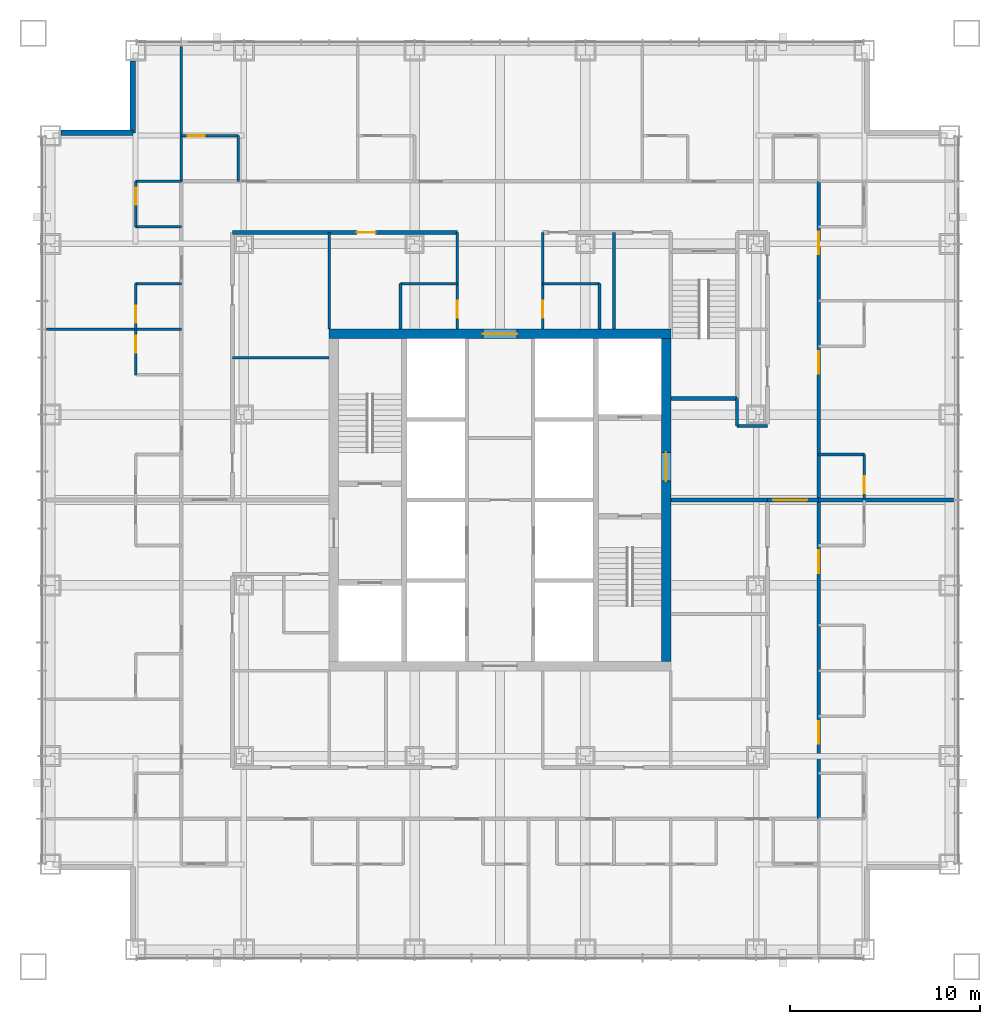
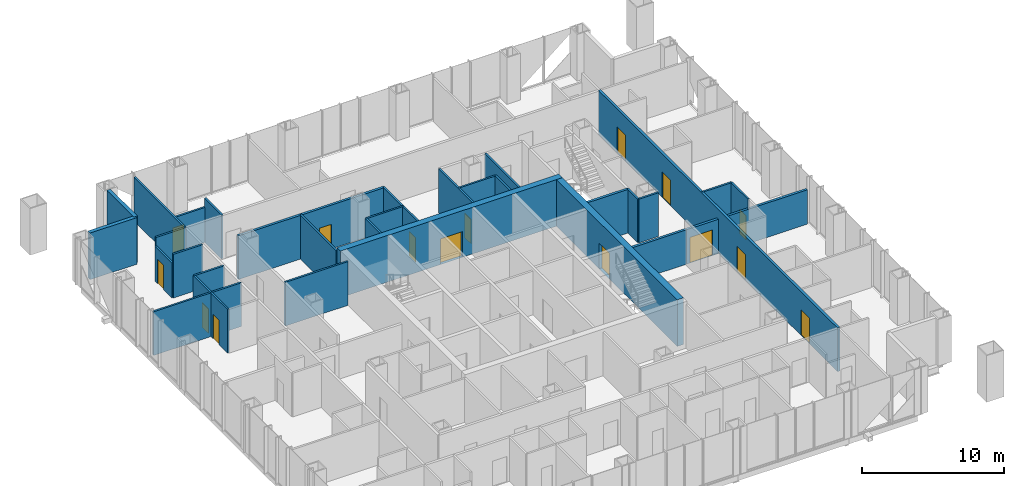
# One storey, part 11 of 18: 33 walls, 15 doors, 15 openings.
"""IFC4 building model written with IfcOpenShell, lengths in metres."""

from ifc_helpers import new_model, si_unit, direction, frame, frame_2d, origin, place, context, subcontext, project, spatial, rectangle, extrude, material, layer, layer_set, type_object, element, fill, save


model = new_model("IFC4")

# Units and contexts
model_context = context("Model", 3, precision=1e-05, world=origin(), true_north=direction((0.0, 1.0)))
body_context = subcontext(model_context, "Body", "Model", "MODEL_VIEW")
ifc_project = project(units=[si_unit("LENGTHUNIT", "METRE"), si_unit("AREAUNIT", "SQUARE_METRE"), si_unit("VOLUMEUNIT", "CUBIC_METRE"), si_unit("PLANEANGLEUNIT", "RADIAN"), si_unit("MASSUNIT", "GRAM", prefix="KILO")], contexts=[model_context])

# Site, building, storey
site_placement = place(None, origin())
site = spatial("IfcSite", under=ifc_project, at=site_placement, CompositionType="ELEMENT")
building_placement = place(site_placement, origin())
building = spatial("IfcBuilding", under=site, at=building_placement, Name="Malebo Sky Hospital", CompositionType="ELEMENT")
storey_placement = place(building_placement, frame((0.0, 0.0, 132.0)))
storey = spatial("IfcBuildingStorey", under=building, at=storey_placement, Name="L31", CompositionType="ELEMENT", Elevation=132.0)

# Wall, opening, door
ifc_material_1 = material(Name="Concrete C80/95", Category="concrete")
ifc_layer_1 = layer(ifc_material_1, 0.5)
ifc_layer_set_1 = layer_set([ifc_layer_1], Name="CORE WALL 500")
wall_type_1 = type_object("IfcWallType", Name="CORE WALL 500", PredefinedType="SHEAR", material=ifc_layer_set_1)
wall_1_placement = place(storey_placement, frame((51.0, 70.75, 0.0), z_axis=(0.0, 0.0, 1.0), x_axis=(1.0, 0.0, 0.0)))
wall_1 = element("IfcWall", 1, at=wall_1_placement, inside=storey, type_object=wall_type_1, Name="Core wall N L31", PredefinedType="SHEAR", context=body_context, shape_type="SweptSolid", body=[
    extrude(rectangle(XDim=18.0, YDim=0.5, at=frame_2d((9.0, 0.0))), origin(), (0.0, 0.0, 1.0), 4.0),
])
opening_1_placement = place(wall_1_placement, frame((8.10009765625, 0.0, 0.0)))
opening_1 = element("IfcOpeningElement", 2, at=opening_1_placement, cuts=wall_1, Name="Opening D06", PredefinedType="OPENING", context=body_context, shape_type="SweptSolid", body=[
    extrude(rectangle(XDim=1.800048828125, YDim=2.199951171875, at=frame_2d((0.89990234375, 1.10009765625))), frame((0.0, 0.260009765625, 0.0), z_axis=(0.0, -1.0, 0.0), x_axis=(1.0, 0.0, 0.0)), (0.0, 0.0, 1.0), 0.52001953125),
])
ifc_material_2 = material(Name="Hardwood-faced door leaf in steel frame", Category="steel")
door_type_1 = type_object("IfcDoorType", Name="LOBBY DOOR PAIR 1800", OperationType="DOUBLE_DOOR_SINGLE_SWING", PredefinedType="DOOR", material=ifc_material_2)
door_1_placement = place(opening_1_placement, origin())
door_1 = element("IfcDoor", 3, at=door_1_placement, inside=storey, type_object=door_type_1, Name="staff rest room door north", OperationType="DOUBLE_DOOR_SINGLE_SWING", OverallHeight=2.199951171875, OverallWidth=1.800048828125, PredefinedType="DOOR", context=body_context, shape_type="SweptSolid", body=[
    extrude(rectangle(XDim=1.800048828125, YDim=2.199951171875, at=frame_2d((0.89990234375, 1.10009765625))), frame((0.0, 0.02490234375, 0.0), z_axis=(0.0, -1.0, 0.0), x_axis=(1.0, 0.0, 0.0)), (0.0, 0.0, 1.0), 0.050048828125),
])
fill(opening_1, door_1)

wall_2_placement = place(storey_placement, frame((68.75, 53.5, 0.0), z_axis=(0.0, 0.0, 1.0), x_axis=(0.0, 1.0, 0.0)))
wall_2 = element("IfcWall", 4, at=wall_2_placement, inside=storey, type_object=wall_type_1, Name="Core wall E L31", PredefinedType="SHEAR", context=body_context, shape_type="SweptSolid", body=[
    extrude(rectangle(XDim=17.0, YDim=0.5, at=frame_2d((8.5, 0.0))), origin(), (0.0, 0.0, 1.0), 4.0),
])
opening_2_placement = place(wall_2_placement, frame((9.5, 0.0, 0.0)))
opening_2 = element("IfcOpeningElement", 5, at=opening_2_placement, cuts=wall_2, Name="Opening D07", PredefinedType="OPENING", context=body_context, shape_type="SweptSolid", body=[
    extrude(rectangle(XDim=1.5, YDim=2.199951171875, at=frame_2d((0.75, 1.10009765625))), frame((0.0, 0.260009765625, 0.0), z_axis=(0.0, -1.0, 0.0), x_axis=(1.0, 0.0, 0.0)), (0.0, 0.0, 1.0), 0.52001953125),
])
door_type_2 = type_object("IfcDoorType", Name="FIRE-FIGHTING LOBBY DOOR PAIR 1500", OperationType="DOUBLE_DOOR_SINGLE_SWING", PredefinedType="DOOR", material=ifc_material_2)
door_2_placement = place(opening_2_placement, origin())
door_2 = element("IfcDoor", 6, at=door_2_placement, inside=storey, type_object=door_type_2, Name="Fire-fighting lobby door east", OperationType="DOUBLE_DOOR_SINGLE_SWING", OverallHeight=2.199951171875, OverallWidth=1.5, PredefinedType="DOOR", context=body_context, shape_type="SweptSolid", body=[
    extrude(rectangle(XDim=1.5, YDim=2.199951171875, at=frame_2d((0.75, 1.10009765625))), frame((0.0, 0.02490234375, 0.0), z_axis=(0.0, -1.0, 0.0), x_axis=(1.0, 0.0, 0.0)), (0.0, 0.0, 1.0), 0.050048828125),
])
fill(opening_2, door_2)

ifc_material_3 = material(Name="Gypsum board on steel studs", Category="steel")
ifc_layer_2 = layer(ifc_material_3, 0.199951171875)
ifc_layer_set_2 = layer_set([ifc_layer_2], Name="CORRIDOR WALL 200")
wall_type_2 = type_object("IfcWallType", Name="CORRIDOR WALL 200", PredefinedType="PARTITIONING", material=ifc_layer_set_2)
wall_3_placement = place(storey_placement, frame((45.89990234375, 76.10009765625, 0.0), z_axis=(0.0, 0.0, 1.0), x_axis=(1.0, 0.0, 0.0)))
wall_3 = element("IfcWall", 7, at=wall_3_placement, inside=storey, type_object=wall_type_2, Name="Corridor Wall 200 NCI1", PredefinedType="PARTITIONING", context=body_context, shape_type="SweptSolid", body=[
    extrude(rectangle(XDim=11.85009765625, YDim=0.199951171875, at=frame_2d((5.925048828125, 0.0))), origin(), (0.0, 0.0, 1.0), 3.75),
])
opening_3_placement = place(wall_3_placement, frame((6.550048828125, 0.0, 0.0)))
opening_3 = element("IfcOpeningElement", 8, at=opening_3_placement, cuts=wall_3, Name="Opening D03", PredefinedType="OPENING", context=body_context, shape_type="SweptSolid", body=[
    extrude(rectangle(XDim=1.0, YDim=2.10009765625, at=frame_2d((0.5, 1.050048828125))), frame((0.0, 0.10986328125, 0.0), z_axis=(0.0, -1.0, 0.0), x_axis=(1.0, 0.0, 0.0)), (0.0, 0.0, 1.0), 0.219970703125),
])
door_type_3 = type_object("IfcDoorType", Name="ROOM DOOR 1000", OperationType="SINGLE_SWING_LEFT", PredefinedType="DOOR", material=ifc_material_2)
door_3_placement = place(opening_3_placement, origin())
door_3 = element("IfcDoor", 9, at=door_3_placement, inside=storey, type_object=door_type_3, Name="Dialysis store door", OperationType="SINGLE_SWING_LEFT", OverallHeight=2.10009765625, OverallWidth=1.0, PredefinedType="DOOR", context=body_context, shape_type="SweptSolid", body=[
    extrude(rectangle(XDim=1.0, YDim=2.10009765625, at=frame_2d((0.5, 1.050048828125))), frame((0.0, 0.02490234375, 0.0), z_axis=(0.0, -1.0, 0.0), x_axis=(1.0, 0.0, 0.0)), (0.0, 0.0, 1.0), 0.050048828125),
])
fill(opening_3, door_3)

# Wall, openings, doors
wall_4_placement = place(storey_placement, frame((76.800048828125, 78.800048828125, 0.0), z_axis=(0.0, 0.0, 1.0), x_axis=(0.0, -1.0, 0.0)))
wall_4 = element("IfcWall", 10, at=wall_4_placement, inside=storey, type_object=wall_type_2, Name="Corridor Wall 200 ECO", PredefinedType="PARTITIONING", context=body_context, shape_type="SweptSolid", body=[
    extrude(rectangle(XDim=33.60009765625, YDim=0.199951171875, at=frame_2d((16.800048828125, 0.0))), origin(), (0.0, 0.0, 1.0), 3.75),
])
opening_4_placement = place(wall_4_placement, frame((2.64990234375, 0.0, 0.0)))
opening_4 = element("IfcOpeningElement", 11, at=opening_4_placement, cuts=wall_4, Name="Opening D01", PredefinedType="OPENING", context=body_context, shape_type="SweptSolid", body=[
    extrude(rectangle(XDim=1.199951171875, YDim=2.199951171875, at=frame_2d((0.60009765625, 1.10009765625))), frame((0.0, 0.10986328125, 0.0), z_axis=(0.0, -1.0, 0.0), x_axis=(1.0, 0.0, 0.0)), (0.0, 0.0, 1.0), 0.219970703125),
])
opening_5_placement = place(wall_4_placement, frame((8.949951171875, 0.0, 0.0)))
opening_5 = element("IfcOpeningElement", 12, at=opening_5_placement, cuts=wall_4, Name="Opening D01", PredefinedType="OPENING", context=body_context, shape_type="SweptSolid", body=[
    extrude(rectangle(XDim=1.199951171875, YDim=2.199951171875, at=frame_2d((0.60009765625, 1.10009765625))), frame((0.0, 0.10986328125, 0.0), z_axis=(0.0, -1.0, 0.0), x_axis=(1.0, 0.0, 0.0)), (0.0, 0.0, 1.0), 0.219970703125),
])
opening_6_placement = place(wall_4_placement, frame((19.449951171875, 0.0, 0.0)))
opening_6 = element("IfcOpeningElement", 13, at=opening_6_placement, cuts=wall_4, Name="Opening D01", PredefinedType="OPENING", context=body_context, shape_type="SweptSolid", body=[
    extrude(rectangle(XDim=1.199951171875, YDim=2.199951171875, at=frame_2d((0.60009765625, 1.10009765625))), frame((0.0, 0.10986328125, 0.0), z_axis=(0.0, -1.0, 0.0), x_axis=(1.0, 0.0, 0.0)), (0.0, 0.0, 1.0), 0.219970703125),
])
opening_7_placement = place(wall_4_placement, frame((28.449951171875, 0.0, 0.0)))
opening_7 = element("IfcOpeningElement", 14, at=opening_7_placement, cuts=wall_4, Name="Opening D01", PredefinedType="OPENING", context=body_context, shape_type="SweptSolid", body=[
    extrude(rectangle(XDim=1.199951171875, YDim=2.199951171875, at=frame_2d((0.60009765625, 1.10009765625))), frame((0.0, 0.10986328125, 0.0), z_axis=(0.0, -1.0, 0.0), x_axis=(1.0, 0.0, 0.0)), (0.0, 0.0, 1.0), 0.219970703125),
])
door_type_4 = type_object("IfcDoorType", Name="BED DOOR 1200", OperationType="SINGLE_SWING_LEFT", PredefinedType="DOOR", material=ifc_material_2)
door_4_placement = place(opening_4_placement, origin())
door_4 = element("IfcDoor", 15, at=door_4_placement, inside=storey, type_object=door_type_4, Name="Single bed room door", OperationType="SINGLE_SWING_LEFT", OverallHeight=2.199951171875, OverallWidth=1.199951171875, PredefinedType="DOOR", context=body_context, shape_type="SweptSolid", body=[
    extrude(rectangle(XDim=1.199951171875, YDim=2.199951171875, at=frame_2d((0.60009765625, 1.10009765625))), frame((0.0, 0.02490234375, 0.0), z_axis=(0.0, -1.0, 0.0), x_axis=(1.0, 0.0, 0.0)), (0.0, 0.0, 1.0), 0.050048828125),
])
fill(opening_4, door_4)
door_5_placement = place(opening_5_placement, origin())
door_5 = element("IfcDoor", 16, at=door_5_placement, inside=storey, type_object=door_type_4, Name="Four-bed bay door", OperationType="SINGLE_SWING_LEFT", OverallHeight=2.199951171875, OverallWidth=1.199951171875, PredefinedType="DOOR", context=body_context, shape_type="SweptSolid", body=[
    extrude(rectangle(XDim=1.199951171875, YDim=2.199951171875, at=frame_2d((0.60009765625, 1.10009765625))), frame((0.0, 0.02490234375, 0.0), z_axis=(0.0, -1.0, 0.0), x_axis=(1.0, 0.0, 0.0)), (0.0, 0.0, 1.0), 0.050048828125),
])
fill(opening_5, door_5)
door_6_placement = place(opening_6_placement, origin())
door_6 = element("IfcDoor", 17, at=door_6_placement, inside=storey, type_object=door_type_4, Name="Four-bed bay door", OperationType="SINGLE_SWING_LEFT", OverallHeight=2.199951171875, OverallWidth=1.199951171875, PredefinedType="DOOR", context=body_context, shape_type="SweptSolid", body=[
    extrude(rectangle(XDim=1.199951171875, YDim=2.199951171875, at=frame_2d((0.60009765625, 1.10009765625))), frame((0.0, 0.02490234375, 0.0), z_axis=(0.0, -1.0, 0.0), x_axis=(1.0, 0.0, 0.0)), (0.0, 0.0, 1.0), 0.050048828125),
])
fill(opening_6, door_6)
door_7_placement = place(opening_7_placement, origin())
door_7 = element("IfcDoor", 18, at=door_7_placement, inside=storey, type_object=door_type_4, Name="Four-bed bay door", OperationType="SINGLE_SWING_LEFT", OverallHeight=2.199951171875, OverallWidth=1.199951171875, PredefinedType="DOOR", context=body_context, shape_type="SweptSolid", body=[
    extrude(rectangle(XDim=1.199951171875, YDim=2.199951171875, at=frame_2d((0.60009765625, 1.10009765625))), frame((0.0, 0.02490234375, 0.0), z_axis=(0.0, -1.0, 0.0), x_axis=(1.0, 0.0, 0.0)), (0.0, 0.0, 1.0), 0.050048828125),
])
fill(opening_7, door_7)

# Walls
ifc_material_4 = material(Name="Anodised aluminium rainscreen on steel framing", Category="steel")
ifc_layer_3 = layer(ifc_material_4, 0.300048828125)
ifc_layer_set_3 = layer_set([ifc_layer_3], Name="NOTCH RAINSCREEN WALL 300")
wall_type_3 = type_object("IfcWallType", Name="NOTCH RAINSCREEN WALL 300", PredefinedType="ELEMENTEDWALL", material=ifc_layer_set_3)
for number, where, z_axis, x_axis, name in (
    (19, (36.85009765625, 81.35009765625, 0.0), (0.0, 0.0, 1.0), (1.0, 0.0, 0.0), "Notch rainscreen wall W1 L31"),
    (20, (40.64990234375, 81.35009765625, 0.0), (0.0, 0.0, 1.0), (0.0, 1.0, 0.0), "Notch rainscreen wall W2 L31"),
):
    element("IfcWall", number, at=place(storey_placement, frame(where, z_axis=z_axis, x_axis=x_axis)), inside=storey, type_object=wall_type_3, Name=name, PredefinedType="ELEMENTEDWALL", context=body_context, shape_type="SweptSolid", body=[
        extrude(rectangle(XDim=3.7998046875, YDim=0.300048828125, at=frame_2d((1.89990234375, 0.0))), origin(), (0.0, 0.0, 1.0), 4.0),
    ])
ifc_layer_4 = layer(ifc_material_3, 0.14990234375)
ifc_layer_set_4 = layer_set([ifc_layer_4], Name="PARTITION 150")
wall_type_4 = type_object("IfcWallType", Name="PARTITION 150", PredefinedType="PARTITIONING", material=ifc_layer_set_4)
wall_5_placement = place(storey_placement, frame((43.199951171875, 78.800048828125, 0.0), z_axis=(0.0, 0.0, 1.0), x_axis=(0.0, 1.0, 0.0)))
element("IfcWall", 21, at=wall_5_placement, inside=storey, type_object=wall_type_4, Name="Partition 150 NP0", PredefinedType="PARTITIONING", context=body_context, shape_type="SweptSolid", body=[
    extrude(rectangle(XDim=7.10986328125, YDim=0.14990234375, at=frame_2d((3.554931640625, 0.0))), origin(), (0.0, 0.0, 1.0), 3.75),
])

# Wall, opening, door
wall_6_placement = place(storey_placement, frame((43.199951171875, 81.199951171875, 0.0), z_axis=(0.0, 0.0, 1.0), x_axis=(1.0, 0.0, 0.0)))
wall_6 = element("IfcWall", 22, at=wall_6_placement, inside=storey, type_object=wall_type_4, Name="Partition 150 NE0F", PredefinedType="PARTITIONING", context=body_context, shape_type="SweptSolid", body=[
    extrude(rectangle(XDim=3.0, YDim=0.14990234375, at=frame_2d((1.5, 0.0))), origin(), (0.0, 0.0, 1.0), 2.9970703125),
])
opening_8_placement = place(wall_6_placement, frame((0.35009765625, 0.0, 0.0)))
opening_8 = element("IfcOpeningElement", 23, at=opening_8_placement, cuts=wall_6, Name="Opening D02", PredefinedType="OPENING", context=body_context, shape_type="SweptSolid", body=[
    extrude(rectangle(XDim=0.89990234375, YDim=2.10009765625, at=frame_2d((0.449951171875, 1.050048828125))), frame((0.0, 0.0849609375, 0.0), z_axis=(0.0, -1.0, 0.0), x_axis=(1.0, 0.0, 0.0)), (0.0, 0.0, 1.0), 0.169921875),
])
door_type_5 = type_object("IfcDoorType", Name="EN-SUITE DOOR 900", OperationType="SINGLE_SWING_LEFT", PredefinedType="DOOR", material=ifc_material_2)
door_8_placement = place(opening_8_placement, origin())
door_8 = element("IfcDoor", 24, at=door_8_placement, inside=storey, type_object=door_type_5, Name="Patient WC door", OperationType="SINGLE_SWING_LEFT", OverallHeight=2.10009765625, OverallWidth=0.89990234375, PredefinedType="DOOR", context=body_context, shape_type="SweptSolid", body=[
    extrude(rectangle(XDim=0.89990234375, YDim=2.10009765625, at=frame_2d((0.449951171875, 1.050048828125))), frame((0.0, 0.02490234375, 0.0), z_axis=(0.0, -1.0, 0.0), x_axis=(1.0, 0.0, 0.0)), (0.0, 0.0, 1.0), 0.050048828125),
])
fill(opening_8, door_8)

# Walls
wall_7_placement = place(storey_placement, frame((46.199951171875, 78.800048828125, 0.0), z_axis=(0.0, 0.0, 1.0), x_axis=(0.0, 1.0, 0.0)))
element("IfcWall", 25, at=wall_7_placement, inside=storey, type_object=wall_type_4, Name="Partition 150 NE0S", PredefinedType="PARTITIONING", context=body_context, shape_type="SweptSolid", body=[
    extrude(rectangle(XDim=2.39990234375, YDim=0.14990234375, at=frame_2d((1.199951171875, 0.0))), origin(), (0.0, 0.0, 1.0), 3.75),
])
wall_8_placement = place(storey_placement, frame((51.0, 71.0, 0.0), z_axis=(0.0, 0.0, 1.0), x_axis=(0.0, 1.0, 0.0)))
element("IfcWall", 26, at=wall_8_placement, inside=storey, type_object=wall_type_4, Name="Partition 150 NSP0", PredefinedType="PARTITIONING", context=body_context, shape_type="SweptSolid", body=[
    extrude(rectangle(XDim=5.10009765625, YDim=0.14990234375, at=frame_2d((2.550048828125, 0.0))), origin(), (0.0, 0.0, 1.0), 3.75),
])

# Wall, opening, door
wall_9_placement = place(storey_placement, frame((57.75, 71.0, 0.0), z_axis=(0.0, 0.0, 1.0), x_axis=(0.0, 1.0, 0.0)))
wall_9 = element("IfcWall", 27, at=wall_9_placement, inside=storey, type_object=wall_type_4, Name="Partition 150 NSPA", PredefinedType="PARTITIONING", context=body_context, shape_type="SweptSolid", body=[
    extrude(rectangle(XDim=5.10009765625, YDim=0.14990234375, at=frame_2d((2.550048828125, 0.0))), origin(), (0.0, 0.0, 1.0), 3.75),
])
opening_9_placement = place(wall_9_placement, frame((0.60009765625, 0.0, 0.0)))
opening_9 = element("IfcOpeningElement", 28, at=opening_9_placement, cuts=wall_9, Name="Opening D04", PredefinedType="OPENING", context=body_context, shape_type="SweptSolid", body=[
    extrude(rectangle(XDim=0.89990234375, YDim=2.10009765625, at=frame_2d((0.449951171875, 1.050048828125))), frame((0.0, 0.0849609375, 0.0), z_axis=(0.0, -1.0, 0.0), x_axis=(1.0, 0.0, 0.0)), (0.0, 0.0, 1.0), 0.169921875),
])
door_type_6 = type_object("IfcDoorType", Name="ROOM DOOR 900", OperationType="SINGLE_SWING_LEFT", PredefinedType="DOOR", material=ifc_material_2)
door_9_placement = place(opening_9_placement, origin())
door_9 = element("IfcDoor", 29, at=door_9_placement, inside=storey, type_object=door_type_6, Name="Staff WC door", OperationType="SINGLE_SWING_LEFT", OverallHeight=2.10009765625, OverallWidth=0.89990234375, PredefinedType="DOOR", context=body_context, shape_type="SweptSolid", body=[
    extrude(rectangle(XDim=0.89990234375, YDim=2.10009765625, at=frame_2d((0.449951171875, 1.050048828125))), frame((0.0, 0.02490234375, 0.0), z_axis=(0.0, -1.0, 0.0), x_axis=(1.0, 0.0, 0.0)), (0.0, 0.0, 1.0), 0.050048828125),
])
fill(opening_9, door_9)

wall_10_placement = place(storey_placement, frame((62.25, 71.0, 0.0), z_axis=(0.0, 0.0, 1.0), x_axis=(0.0, 1.0, 0.0)))
wall_10 = element("IfcWall", 30, at=wall_10_placement, inside=storey, type_object=wall_type_4, Name="Partition 150 NSPB", PredefinedType="PARTITIONING", context=body_context, shape_type="SweptSolid", body=[
    extrude(rectangle(XDim=5.10009765625, YDim=0.14990234375, at=frame_2d((2.550048828125, 0.0))), origin(), (0.0, 0.0, 1.0), 3.75),
])
opening_10_placement = place(wall_10_placement, frame((0.60009765625, 0.0, 0.0)))
opening_10 = element("IfcOpeningElement", 31, at=opening_10_placement, cuts=wall_10, Name="Opening D04", PredefinedType="OPENING", context=body_context, shape_type="SweptSolid", body=[
    extrude(rectangle(XDim=0.89990234375, YDim=2.10009765625, at=frame_2d((0.449951171875, 1.050048828125))), frame((0.0, 0.0849609375, 0.0), z_axis=(0.0, -1.0, 0.0), x_axis=(1.0, 0.0, 0.0)), (0.0, 0.0, 1.0), 0.169921875),
])
door_10_placement = place(opening_10_placement, origin())
door_10 = element("IfcDoor", 32, at=door_10_placement, inside=storey, type_object=door_type_6, Name="Accessible WC door", OperationType="SINGLE_SWING_LEFT", OverallHeight=2.10009765625, OverallWidth=0.89990234375, PredefinedType="DOOR", context=body_context, shape_type="SweptSolid", body=[
    extrude(rectangle(XDim=0.89990234375, YDim=2.10009765625, at=frame_2d((0.449951171875, 1.050048828125))), frame((0.0, 0.02490234375, 0.0), z_axis=(0.0, -1.0, 0.0), x_axis=(1.0, 0.0, 0.0)), (0.0, 0.0, 1.0), 0.050048828125),
])
fill(opening_10, door_10)

# Walls
wall_11_placement = place(storey_placement, frame((66.0, 71.0, 0.0), z_axis=(0.0, 0.0, 1.0), x_axis=(0.0, 1.0, 0.0)))
element("IfcWall", 33, at=wall_11_placement, inside=storey, type_object=wall_type_4, Name="Partition 150 NSP+6.0", PredefinedType="PARTITIONING", context=body_context, shape_type="SweptSolid", body=[
    extrude(rectangle(XDim=5.10009765625, YDim=0.14990234375, at=frame_2d((2.550048828125, 0.0))), origin(), (0.0, 0.0, 1.0), 3.75),
])
wall_12_placement = place(storey_placement, frame((54.75, 73.39990234375, 0.0), z_axis=(0.0, 0.0, 1.0), x_axis=(1.0, 0.0, 0.0)))
element("IfcWall", 34, at=wall_12_placement, inside=storey, type_object=wall_type_4, Name="Partition 150 NSX0", PredefinedType="PARTITIONING", context=body_context, shape_type="SweptSolid", body=[
    extrude(rectangle(XDim=3.0, YDim=0.14990234375, at=frame_2d((1.5, 0.0))), origin(), (0.0, 0.0, 1.0), 3.75),
])
wall_13_placement = place(storey_placement, frame((54.75, 71.0, 0.0), z_axis=(0.0, 0.0, 1.0), x_axis=(0.0, 1.0, 0.0)))
element("IfcWall", 35, at=wall_13_placement, inside=storey, type_object=wall_type_4, Name="Partition 150 NSY0", PredefinedType="PARTITIONING", context=body_context, shape_type="SweptSolid", body=[
    extrude(rectangle(XDim=2.39990234375, YDim=0.14990234375, at=frame_2d((1.199951171875, 0.0))), origin(), (0.0, 0.0, 1.0), 3.75),
])
wall_14_placement = place(storey_placement, frame((62.25, 73.39990234375, 0.0), z_axis=(0.0, 0.0, 1.0), x_axis=(1.0, 0.0, 0.0)))
element("IfcWall", 36, at=wall_14_placement, inside=storey, type_object=wall_type_4, Name="Partition 150 NSX1", PredefinedType="PARTITIONING", context=body_context, shape_type="SweptSolid", body=[
    extrude(rectangle(XDim=3.0, YDim=0.14990234375, at=frame_2d((1.5, 0.0))), origin(), (0.0, 0.0, 1.0), 3.75),
])
wall_15_placement = place(storey_placement, frame((65.25, 71.0, 0.0), z_axis=(0.0, 0.0, 1.0), x_axis=(0.0, 1.0, 0.0)))
element("IfcWall", 37, at=wall_15_placement, inside=storey, type_object=wall_type_4, Name="Partition 150 NSY1", PredefinedType="PARTITIONING", context=body_context, shape_type="SweptSolid", body=[
    extrude(rectangle(XDim=2.39990234375, YDim=0.14990234375, at=frame_2d((1.199951171875, 0.0))), origin(), (0.0, 0.0, 1.0), 3.75),
])
wall_16_placement = place(storey_placement, frame((43.199951171875, 71.0, 0.0), z_axis=(0.0, 0.0, 1.0), x_axis=(-1.0, 0.0, 0.0)))
element("IfcWall", 38, at=wall_16_placement, inside=storey, type_object=wall_type_4, Name="Partition 150 WP+9.0", PredefinedType="PARTITIONING", context=body_context, shape_type="SweptSolid", body=[
    extrude(rectangle(XDim=7.10986328125, YDim=0.14990234375, at=frame_2d((3.554931640625, 0.0))), origin(), (0.0, 0.0, 1.0), 3.75),
])

# Wall, opening, door
wall_17_placement = place(storey_placement, frame((40.800048828125, 68.60009765625, 0.0), z_axis=(0.0, 0.0, 1.0), x_axis=(0.0, 1.0, 0.0)))
wall_17 = element("IfcWall", 39, at=wall_17_placement, inside=storey, type_object=wall_type_4, Name="Partition 150 WG2F", PredefinedType="PARTITIONING", context=body_context, shape_type="SweptSolid", body=[
    extrude(rectangle(XDim=2.39990234375, YDim=0.14990234375, at=frame_2d((1.199951171875, 0.0))), origin(), (0.0, 0.0, 1.0), 3.75),
])
opening_11_placement = place(wall_17_placement, frame((1.14990234375, 0.0, 0.0)))
opening_11 = element("IfcOpeningElement", 40, at=opening_11_placement, cuts=wall_17, Name="Opening D02", PredefinedType="OPENING", context=body_context, shape_type="SweptSolid", body=[
    extrude(rectangle(XDim=0.89990234375, YDim=2.10009765625, at=frame_2d((0.449951171875, 1.050048828125))), frame((0.0, 0.0849609375, 0.0), z_axis=(0.0, -1.0, 0.0), x_axis=(1.0, 0.0, 0.0)), (0.0, 0.0, 1.0), 0.169921875),
])
door_11_placement = place(opening_11_placement, origin())
door_11 = element("IfcDoor", 41, at=door_11_placement, inside=storey, type_object=door_type_5, Name="En-suite door", OperationType="SINGLE_SWING_RIGHT", OverallHeight=2.10009765625, OverallWidth=0.89990234375, PredefinedType="DOOR", context=body_context, shape_type="SweptSolid", body=[
    extrude(rectangle(XDim=0.89990234375, YDim=2.10009765625, at=frame_2d((0.449951171875, 1.050048828125))), frame((0.0, 0.02490234375, 0.0), z_axis=(0.0, -1.0, 0.0), x_axis=(1.0, 0.0, 0.0)), (0.0, 0.0, 1.0), 0.050048828125),
])
fill(opening_11, door_11)

wall_18_placement = place(storey_placement, frame((40.800048828125, 71.0, 0.0), z_axis=(0.0, 0.0, 1.0), x_axis=(0.0, 1.0, 0.0)))
wall_18 = element("IfcWall", 42, at=wall_18_placement, inside=storey, type_object=wall_type_4, Name="Partition 150 WE3F", PredefinedType="PARTITIONING", context=body_context, shape_type="SweptSolid", body=[
    extrude(rectangle(XDim=2.39990234375, YDim=0.14990234375, at=frame_2d((1.199951171875, 0.0))), origin(), (0.0, 0.0, 1.0), 3.75),
])
opening_12_placement = place(wall_18_placement, frame((0.35009765625, 0.0, 0.0)))
opening_12 = element("IfcOpeningElement", 43, at=opening_12_placement, cuts=wall_18, Name="Opening D02", PredefinedType="OPENING", context=body_context, shape_type="SweptSolid", body=[
    extrude(rectangle(XDim=0.89990234375, YDim=2.10009765625, at=frame_2d((0.449951171875, 1.050048828125))), frame((0.0, 0.0849609375, 0.0), z_axis=(0.0, -1.0, 0.0), x_axis=(1.0, 0.0, 0.0)), (0.0, 0.0, 1.0), 0.169921875),
])
door_12_placement = place(opening_12_placement, origin())
door_12 = element("IfcDoor", 44, at=door_12_placement, inside=storey, type_object=door_type_5, Name="En-suite door", OperationType="SINGLE_SWING_LEFT", OverallHeight=2.10009765625, OverallWidth=0.89990234375, PredefinedType="DOOR", context=body_context, shape_type="SweptSolid", body=[
    extrude(rectangle(XDim=0.89990234375, YDim=2.10009765625, at=frame_2d((0.449951171875, 1.050048828125))), frame((0.0, 0.02490234375, 0.0), z_axis=(0.0, -1.0, 0.0), x_axis=(1.0, 0.0, 0.0)), (0.0, 0.0, 1.0), 0.050048828125),
])
fill(opening_12, door_12)

# Wall
wall_19_placement = place(storey_placement, frame((43.199951171875, 73.39990234375, 0.0), z_axis=(0.0, 0.0, 1.0), x_axis=(-1.0, 0.0, 0.0)))
element("IfcWall", 45, at=wall_19_placement, inside=storey, type_object=wall_type_4, Name="Partition 150 WE3S", PredefinedType="PARTITIONING", context=body_context, shape_type="SweptSolid", body=[
    extrude(rectangle(XDim=2.39990234375, YDim=0.14990234375, at=frame_2d((1.199951171875, 0.0))), origin(), (0.0, 0.0, 1.0), 3.75),
])

# Wall, opening, door
wall_20_placement = place(storey_placement, frame((40.800048828125, 76.39990234375, 0.0), z_axis=(0.0, 0.0, 1.0), x_axis=(0.0, 1.0, 0.0)))
wall_20 = element("IfcWall", 46, at=wall_20_placement, inside=storey, type_object=wall_type_4, Name="Partition 150 WG3F", PredefinedType="PARTITIONING", context=body_context, shape_type="SweptSolid", body=[
    extrude(rectangle(XDim=2.400146484375, YDim=0.14990234375, at=frame_2d((1.2001953125, 0.0))), origin(), (0.0, 0.0, 1.0), 2.9970703125),
])
opening_13_placement = place(wall_20_placement, frame((1.14990234375, 0.0, 0.0)))
opening_13 = element("IfcOpeningElement", 47, at=opening_13_placement, cuts=wall_20, Name="Opening D02", PredefinedType="OPENING", context=body_context, shape_type="SweptSolid", body=[
    extrude(rectangle(XDim=0.89990234375, YDim=2.10009765625, at=frame_2d((0.449951171875, 1.050048828125))), frame((0.0, 0.0849609375, 0.0), z_axis=(0.0, -1.0, 0.0), x_axis=(1.0, 0.0, 0.0)), (0.0, 0.0, 1.0), 0.169921875),
])
door_13_placement = place(opening_13_placement, origin())
door_13 = element("IfcDoor", 48, at=door_13_placement, inside=storey, type_object=door_type_5, Name="En-suite door", OperationType="SINGLE_SWING_RIGHT", OverallHeight=2.10009765625, OverallWidth=0.89990234375, PredefinedType="DOOR", context=body_context, shape_type="SweptSolid", body=[
    extrude(rectangle(XDim=0.89990234375, YDim=2.10009765625, at=frame_2d((0.449951171875, 1.050048828125))), frame((0.0, 0.02490234375, 0.0), z_axis=(0.0, -1.0, 0.0), x_axis=(1.0, 0.0, 0.0)), (0.0, 0.0, 1.0), 0.050048828125),
])
fill(opening_13, door_13)

# Walls
for number, where, z_axis, x_axis, name in (
    (49, (43.199951171875, 76.39990234375, 0.0), (0.0, 0.0, 1.0), (-1.0, 0.0, 0.0), "Partition 150 WG3S"),
    (50, (43.199951171875, 78.800048828125, 0.0), (0.0, 0.0, 1.0), (-1.0, 0.0, 0.0), "Partition 150 WEZ"),
):
    element("IfcWall", number, at=place(storey_placement, frame(where, z_axis=z_axis, x_axis=x_axis)), inside=storey, type_object=wall_type_4, Name=name, PredefinedType="PARTITIONING", context=body_context, shape_type="SweptSolid", body=[
        extrude(rectangle(XDim=2.39990234375, YDim=0.14990234375, at=frame_2d((1.199951171875, 0.0))), origin(), (0.0, 0.0, 1.0), 3.75),
    ])
wall_21_placement = place(storey_placement, frame((51.0, 69.5, 0.0), z_axis=(0.0, 0.0, 1.0), x_axis=(-1.0, 0.0, 0.0)))
element("IfcWall", 51, at=wall_21_placement, inside=storey, type_object=wall_type_4, Name="Partition 150 WSP+7.5", PredefinedType="PARTITIONING", context=body_context, shape_type="SweptSolid", body=[
    extrude(rectangle(XDim=5.10009765625, YDim=0.14990234375, at=frame_2d((2.550048828125, 0.0))), origin(), (0.0, 0.0, 1.0), 3.75),
])

# Wall, opening, door
wall_22_placement = place(storey_placement, frame((79.199951171875, 64.39990234375, 0.0), z_axis=(0.0, 0.0, 1.0), x_axis=(0.0, -1.0, 0.0)))
wall_22 = element("IfcWall", 52, at=wall_22_placement, inside=storey, type_object=wall_type_4, Name="Partition 150 EG1F", PredefinedType="PARTITIONING", context=body_context, shape_type="SweptSolid", body=[
    extrude(rectangle(XDim=2.39990234375, YDim=0.14990234375, at=frame_2d((1.199951171875, 0.0))), origin(), (0.0, 0.0, 1.0), 3.75),
])
opening_14_placement = place(wall_22_placement, frame((1.14990234375, 0.0, 0.0)))
opening_14 = element("IfcOpeningElement", 53, at=opening_14_placement, cuts=wall_22, Name="Opening D02", PredefinedType="OPENING", context=body_context, shape_type="SweptSolid", body=[
    extrude(rectangle(XDim=0.89990234375, YDim=2.10009765625, at=frame_2d((0.449951171875, 1.050048828125))), frame((0.0, 0.0849609375, 0.0), z_axis=(0.0, -1.0, 0.0), x_axis=(1.0, 0.0, 0.0)), (0.0, 0.0, 1.0), 0.169921875),
])
door_14_placement = place(opening_14_placement, origin())
door_14 = element("IfcDoor", 54, at=door_14_placement, inside=storey, type_object=door_type_5, Name="En-suite door", OperationType="SINGLE_SWING_RIGHT", OverallHeight=2.10009765625, OverallWidth=0.89990234375, PredefinedType="DOOR", context=body_context, shape_type="SweptSolid", body=[
    extrude(rectangle(XDim=0.89990234375, YDim=2.10009765625, at=frame_2d((0.449951171875, 1.050048828125))), frame((0.0, 0.02490234375, 0.0), z_axis=(0.0, -1.0, 0.0), x_axis=(1.0, 0.0, 0.0)), (0.0, 0.0, 1.0), 0.050048828125),
])
fill(opening_14, door_14)

# Walls
wall_23_placement = place(storey_placement, frame((76.800048828125, 64.39990234375, 0.0), z_axis=(0.0, 0.0, 1.0), x_axis=(1.0, 0.0, 0.0)))
element("IfcWall", 55, at=wall_23_placement, inside=storey, type_object=wall_type_4, Name="Partition 150 EG1S", PredefinedType="PARTITIONING", context=body_context, shape_type="SweptSolid", body=[
    extrude(rectangle(XDim=2.39990234375, YDim=0.14990234375, at=frame_2d((1.199951171875, 0.0))), origin(), (0.0, 0.0, 1.0), 3.75),
])
wall_24_placement = place(storey_placement, frame((72.5, 65.89990234375, 0.0), z_axis=(0.0, 0.0, 1.0), x_axis=(1.0, 0.0, 0.0)))
element("IfcWall", 56, at=wall_24_placement, inside=storey, type_object=wall_type_4, Name="Partition 150 ESPA", PredefinedType="PARTITIONING", context=body_context, shape_type="SweptSolid", body=[
    extrude(rectangle(XDim=1.60009765625, YDim=0.14990234375, at=frame_2d((0.800048828125, 0.0))), origin(), (0.0, 0.0, 1.0), 3.75),
])
wall_25_placement = place(storey_placement, frame((72.5, 65.89990234375, 0.0), z_axis=(0.0, 0.0, 1.0), x_axis=(0.0, 1.0, 0.0)))
element("IfcWall", 57, at=wall_25_placement, inside=storey, type_object=wall_type_4, Name="Partition 150 ST3C", PredefinedType="PARTITIONING", context=body_context, shape_type="SweptSolid", body=[
    extrude(rectangle(XDim=1.4501953125, YDim=0.14990234375, at=frame_2d((0.72509765625, 0.0))), origin(), (0.0, 0.0, 1.0), 3.75),
])
ifc_material_5 = material(Name="Concrete blockwork", Category="masonry")
ifc_layer_5 = layer(ifc_material_5, 0.199951171875)
ifc_layer_set_5 = layer_set([ifc_layer_5], Name="SMOKE BARRIER WALL 200")
wall_type_5 = type_object("IfcWallType", Name="SMOKE BARRIER WALL 200", PredefinedType="SOLIDWALL", material=ifc_layer_set_5)
wall_26_placement = place(storey_placement, frame((76.800048828125, 62.0, 0.0), z_axis=(0.0, 0.0, 1.0), x_axis=(1.0, 0.0, 0.0)))
element("IfcWall", 58, at=wall_26_placement, inside=storey, type_object=wall_type_5, Name="Smoke Barrier Wall 200 EP+0.0", PredefinedType="SOLIDWALL", context=body_context, shape_type="SweptSolid", body=[
    extrude(rectangle(XDim=7.10986328125, YDim=0.199951171875, at=frame_2d((3.554931640625, 0.0))), origin(), (0.0, 0.0, 1.0), 2.949951171875),
])
wall_27_placement = place(storey_placement, frame((69.0, 62.0, 0.0), z_axis=(0.0, 0.0, 1.0), x_axis=(1.0, 0.0, 0.0)))
element("IfcWall", 59, at=wall_27_placement, inside=storey, type_object=wall_type_5, Name="Smoke Barrier Wall 200 ESPB", PredefinedType="SOLIDWALL", context=body_context, shape_type="SweptSolid", body=[
    extrude(rectangle(XDim=5.10009765625, YDim=0.199951171875, at=frame_2d((2.550048828125, 0.0))), origin(), (0.0, 0.0, 1.0), 2.949951171875),
])

# Wall, opening, door
wall_28_placement = place(storey_placement, frame((74.10009765625, 62.0, 0.0), z_axis=(0.0, 0.0, 1.0), x_axis=(1.0, 0.0, 0.0)))
wall_28 = element("IfcWall", 60, at=wall_28_placement, inside=storey, type_object=wall_type_5, Name="Smoke Barrier Wall 200 ESB", PredefinedType="SOLIDWALL", context=body_context, shape_type="SweptSolid", body=[
    extrude(rectangle(XDim=2.699951171875, YDim=0.199951171875, at=frame_2d((1.35009765625, 0.0))), origin(), (0.0, 0.0, 1.0), 2.949951171875),
])
opening_15_placement = place(wall_28_placement, frame((0.300048828125, 0.0, 0.0)))
opening_15 = element("IfcOpeningElement", 61, at=opening_15_placement, cuts=wall_28, Name="Opening D05", PredefinedType="OPENING", context=body_context, shape_type="SweptSolid", body=[
    extrude(rectangle(XDim=1.800048828125, YDim=2.199951171875, at=frame_2d((0.89990234375, 1.10009765625))), frame((0.0, 0.10986328125, 0.0), z_axis=(0.0, -1.0, 0.0), x_axis=(1.0, 0.0, 0.0)), (0.0, 0.0, 1.0), 0.219970703125),
])
door_type_7 = type_object("IfcDoorType", Name="SMOKE DOOR PAIR 1800", OperationType="DOUBLE_DOOR_DOUBLE_SWING", PredefinedType="DOOR", material=ifc_material_2)
door_15_placement = place(opening_15_placement, origin())
door_15 = element("IfcDoor", 62, at=door_15_placement, inside=storey, type_object=door_type_7, Name="Smoke compartment door pair", OperationType="DOUBLE_DOOR_DOUBLE_SWING", OverallHeight=2.199951171875, OverallWidth=1.800048828125, PredefinedType="DOOR", context=body_context, shape_type="SweptSolid", body=[
    extrude(rectangle(XDim=1.800048828125, YDim=2.199951171875, at=frame_2d((0.89990234375, 1.10009765625))), frame((0.0, 0.02490234375, 0.0), z_axis=(0.0, -1.0, 0.0), x_axis=(1.0, 0.0, 0.0)), (0.0, 0.0, 1.0), 0.050048828125),
])
fill(opening_15, door_15)

# Wall
ifc_material_6 = material(Name="Concrete C40/50", Category="concrete")
ifc_layer_6 = layer(ifc_material_6, 0.199951171875)
ifc_layer_set_6 = layer_set([ifc_layer_6], Name="STAIR ENCLOSURE WALL 200")
wall_type_6 = type_object("IfcWallType", Name="STAIR ENCLOSURE WALL 200", PredefinedType="SOLIDWALL", material=ifc_layer_set_6)
wall_29_placement = place(storey_placement, frame((69.0, 67.35009765625, 0.0), z_axis=(0.0, 0.0, 1.0), x_axis=(1.0, 0.0, 0.0)))
element("IfcWall", 63, at=wall_29_placement, inside=storey, type_object=wall_type_6, Name="Stair Enclosure Wall 200 ST3S", PredefinedType="SOLIDWALL", context=body_context, shape_type="SweptSolid", body=[
    extrude(rectangle(XDim=3.5, YDim=0.199951171875, at=frame_2d((1.75, 0.0))), origin(), (0.0, 0.0, 1.0), 3.75),
])

save(model, "model.ifc")
